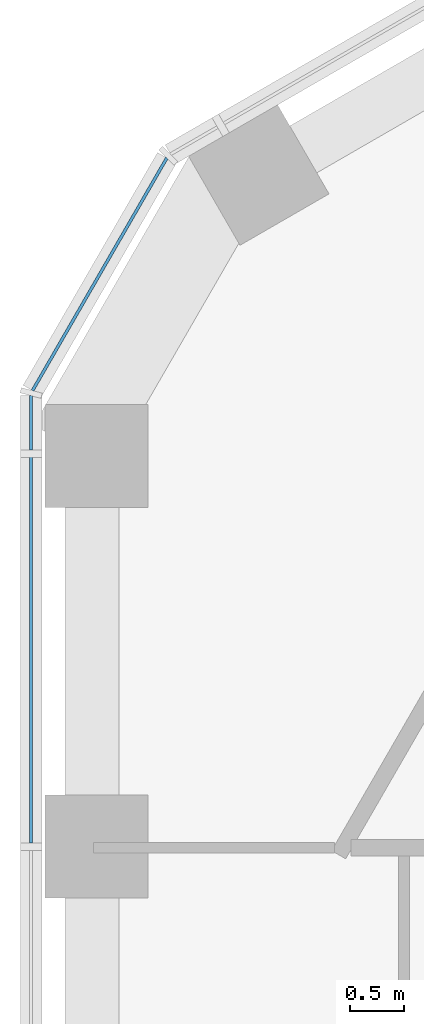
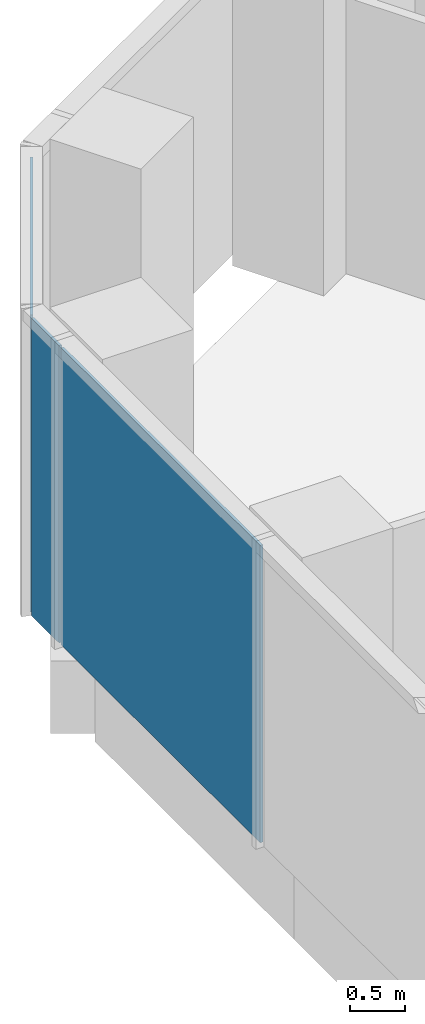
# One storey, part 9 of 18: 3 plates, 2 elements without a shape of their own.
"""IFC4 building model written with IfcOpenShell, lengths in metres."""

import ifcopenshell
import ifcopenshell.guid

model = None  # the IFC model being written
_history = None  # IfcOwnerHistory: only IFC2X3 demands one
_inside = {}  # id of a spatial element -> (the spatial element, [elements in it])
_under = {}  # id of a project, library or spatial element -> (it, [spatial elements below it])
_declared = {}  # id of a project -> (the project, [libraries it declares])
_typed = {}  # id of a type object -> (the type object, [elements of that type])
_made_of = {}  # id of a material, layer set ... -> (it, [elements and type objects made of it])


def new_model(schema):
    """Start an empty IFC model of exactly this schema.

    Asked for "IFC4X3", IfcOpenShell would pick the latest addendum, in which some entities
    have other attributes; the version numbers below select the first issue.
    IFC2X3 requires an IfcOwnerHistory on every rooted entity: one is made here for all.
    """
    global model, _history
    if schema == "IFC4X3":
        model = ifcopenshell.file(schema_version=(4, 3, 0, 0))
    else:
        model = ifcopenshell.file(schema=schema)
    _inside.clear()
    _under.clear()
    _declared.clear()
    _typed.clear()
    _made_of.clear()
    _history = None
    if model.schema == "IFC2X3":
        org = make("IfcOrganization", Name="unknown")
        user = make(
            "IfcPersonAndOrganization",
            ThePerson=make("IfcPerson", FamilyName="unknown"),
            TheOrganization=org,
        )
        app = make(
            "IfcApplication",
            ApplicationDeveloper=org,
            Version="unknown",
            ApplicationFullName="unknown",
            ApplicationIdentifier="unknown",
        )
        _history = make(
            "IfcOwnerHistory",
            OwningUser=user,
            OwningApplication=app,
            ChangeAction="ADDED",
            CreationDate=0,
        )
    return model


def make(cls, **values):
    """One entity of the class cls with the attributes given. An attribute that is None is left unset."""
    return model.create_entity(
        cls, **{name: value for name, value in values.items() if value is not None}
    )


def rooted(cls, **values):
    """An entity with a GlobalId (a new one), such as an element, a storey or a relation."""
    return make(cls, GlobalId=ifcopenshell.guid.new(), OwnerHistory=_history, **values)


def si_unit(unit_type, name, prefix=None):
    """IfcSIUnit, for example si_unit("LENGTHUNIT", "METRE", prefix="MILLI")."""
    return make("IfcSIUnit", UnitType=unit_type, Prefix=prefix, Name=name)


def assignment(units):
    """IfcUnitAssignment: the units of a project."""
    return None if units is None else make("IfcUnitAssignment", Units=units)


def point(xyz):
    """IfcCartesianPoint."""
    return None if xyz is None else make("IfcCartesianPoint", Coordinates=xyz)


def direction(xyz):
    """IfcDirection."""
    return None if xyz is None else make("IfcDirection", DirectionRatios=xyz)


def frame(location, z_axis=None, x_axis=None):
    """IfcAxis2Placement3D, a coordinate frame: its origin and axes. An axis left out is left unset."""
    return make(
        "IfcAxis2Placement3D",
        Location=point(location),
        Axis=direction(z_axis),
        RefDirection=direction(x_axis),
    )


def frame_2d(location, x_axis=None):
    """IfcAxis2Placement2D, a coordinate frame in the plane: its origin and x axis."""
    return make(
        "IfcAxis2Placement2D", Location=point(location), RefDirection=direction(x_axis)
    )


def origin():
    """The frame at (0, 0, 0) with its axes left unset."""
    return frame((0.0, 0.0, 0.0))


def origin_2d():
    """The frame at (0, 0) in the plane with its x axis left unset."""
    return frame_2d((0.0, 0.0))


def place(relative_to, where):
    """IfcLocalPlacement: puts the frame where relative to a parent placement (None: the world)."""
    return make(
        "IfcLocalPlacement", PlacementRelTo=relative_to, RelativePlacement=where
    )


def context(
    kind, dimensions, precision=None, world=None, true_north=None, identifier=None
):
    """IfcGeometricRepresentationContext, for example the 3D "Model" context."""
    return make(
        "IfcGeometricRepresentationContext",
        ContextIdentifier=identifier,
        ContextType=kind,
        CoordinateSpaceDimension=dimensions,
        Precision=precision,
        WorldCoordinateSystem=world,
        TrueNorth=true_north,
    )


def subcontext(parent, identifier, kind, view, scale=None):
    """IfcGeometricRepresentationSubContext, for example "Body" below "Model"."""
    return make(
        "IfcGeometricRepresentationSubContext",
        ContextIdentifier=identifier,
        ContextType=kind,
        ParentContext=parent,
        TargetScale=scale,
        TargetView=view,
    )


def project(units=None, contexts=None):
    """IfcProject with its units and contexts."""
    return rooted(
        "IfcProject",
        Name="project",
        RepresentationContexts=contexts,
        UnitsInContext=assignment(units),
    )


def spatial(cls, under=None, at=None, **own):
    """A site, building, storey or space (cls), placed at a placement, below another one or the project."""
    s = rooted(cls, ObjectPlacement=at, **own)
    if under is not None:
        _under.setdefault(under.id(), (under, []))[1].append(s)
    return s


def profile(cls, at=None, kind="AREA", **sizes):
    """A parametric profile (cls). Its sizes go by their IFC names, for example OverallWidth=200.0."""
    return make(cls, ProfileType=kind, Position=at, **sizes)


def rectangle(**sizes):
    """IfcRectangleProfileDef."""
    return profile("IfcRectangleProfileDef", **sizes)


def extrude(swept, where, along, depth):
    """IfcExtrudedAreaSolid: the profile swept, set in the frame where, extruded along a direction by depth."""
    return make(
        "IfcExtrudedAreaSolid",
        SweptArea=swept,
        Position=where,
        ExtrudedDirection=direction(along),
        Depth=depth,
    )


def shape(context_of_items, identifier, shape_type, items):
    """IfcShapeRepresentation: the items that make up one representation, for example the "Body"."""
    return make(
        "IfcShapeRepresentation",
        ContextOfItems=context_of_items,
        RepresentationIdentifier=identifier,
        RepresentationType=shape_type,
        Items=items,
    )


def material(Name=None, Category=None):
    """IfcMaterial."""
    return make("IfcMaterial", Name=Name, Category=Category)


def layer(
    of_material, thickness, ventilated=None, Name=None, Category=None, Priority=None
):
    """IfcMaterialLayer: one layer of a wall or slab, of a material (None: an air gap)."""
    return make(
        "IfcMaterialLayer",
        Material=of_material,
        LayerThickness=thickness,
        IsVentilated=ventilated,
        Name=Name,
        Category=Category,
        Priority=Priority,
    )


def layer_set(layers, Name=None):
    """IfcMaterialLayerSet."""
    return make("IfcMaterialLayerSet", MaterialLayers=layers, LayerSetName=Name)


def made_of(thing, what):
    """Note that an element or type object is made of a material, layer set ...; save() writes the relation."""
    if what is not None:
        _made_of.setdefault(what.id(), (what, []))[1].append(thing)
    return thing


def type_object(cls, material=None, **own):
    """A type object (cls), such as IfcWallType, which elements share."""
    return made_of(rooted(cls, **own), material)


def element(
    cls,
    number,
    at=None,
    inside=None,
    cuts=None,
    type_object=None,
    material=None,
    context=None,
    identifier="Body",
    shape_type=None,
    held_by="IfcProductDefinitionShape",
    body=None,
    shapes=None,
    **own,
):
    """One element of the class cls, such as IfcWall. Its Tag is "e" and its number.

    at: its placement. inside: the storey or other place that contains it. cuts: it is an
    opening in that element (IfcRelVoidsElement). A single representation is given by context,
    identifier, shape_type and body (its items); several are given by shapes. held_by: the class
    of the entity that holds the representations. save() writes the other relations.
    """
    e = rooted(cls, Tag="e%d" % number, ObjectPlacement=at, **own)
    if body is not None:
        shapes = [shape(context, identifier, shape_type, body)]
    if shapes is not None:
        e.Representation = make(held_by, Representations=shapes)
    if inside is not None:
        _inside.setdefault(inside.id(), (inside, []))[1].append(e)
    if cuts is not None:
        rooted(
            "IfcRelVoidsElement", RelatingBuildingElement=cuts, RelatedOpeningElement=e
        )
    if type_object is not None:
        _typed.setdefault(type_object.id(), (type_object, []))[1].append(e)
    return made_of(e, material)


def aggregate(whole, parts):
    """IfcRelAggregates: a whole, such as a stair, and the parts it consists of."""
    return rooted("IfcRelAggregates", RelatingObject=whole, RelatedObjects=parts)


def save(model, path):
    """Write the relations noted so far, then the file.

    IfcRelAggregates (storeys below a building ...), IfcRelContainedInSpatialStructure (elements
    in a storey), IfcRelDefinesByType, IfcRelAssociatesMaterial and IfcRelDeclares: one each for
    every whole, place, type object, material and project.
    """
    for whole, parts in _under.values():
        aggregate(whole, parts)
    for where, things in _inside.values():
        rooted(
            "IfcRelContainedInSpatialStructure",
            RelatedElements=things,
            RelatingStructure=where,
        )
    for kind, things in _typed.values():
        rooted("IfcRelDefinesByType", RelatedObjects=things, RelatingType=kind)
    for what, things in _made_of.values():
        rooted("IfcRelAssociatesMaterial", RelatedObjects=things, RelatingMaterial=what)
    for by, libraries in _declared.values():
        rooted("IfcRelDeclares", RelatingContext=by, RelatedDefinitions=libraries)
    model.write(path)


model = new_model("IFC4")

# Units and contexts
model_context = context("Model", 3, precision=1e-05, world=origin(), true_north=direction((0.0, 1.0)))
body_context = subcontext(model_context, "Body", "Model", "MODEL_VIEW")
ifc_project = project(units=[si_unit("LENGTHUNIT", "METRE"), si_unit("AREAUNIT", "SQUARE_METRE"), si_unit("VOLUMEUNIT", "CUBIC_METRE"), si_unit("PLANEANGLEUNIT", "RADIAN"), si_unit("MASSUNIT", "GRAM", prefix="KILO")], contexts=[model_context])

# Site, building, storey
site_placement = place(None, origin())
site = spatial("IfcSite", under=ifc_project, at=site_placement, CompositionType="ELEMENT")
building_placement = place(site_placement, origin())
building = spatial("IfcBuilding", under=site, at=building_placement, Name="Ayvan Gate Tower", CompositionType="ELEMENT")
storey_placement = place(building_placement, frame((0.0, 0.0, 176.5)))
storey = spatial("IfcBuildingStorey", under=building, at=storey_placement, Name="L47", CompositionType="ELEMENT", Elevation=176.5)

# Curtain wall, plate
ifc_material_1 = material(Name="Bronze anodised aluminium", Category="aluminium")
ifc_layer_1 = layer(ifc_material_1, 0.199951171875)
ifc_layer_set_1 = layer_set([ifc_layer_1], Name="Bronze anodised aluminium")
curtain_wall_type_1 = type_object("IfcCurtainWallType", Name="Stick curtain wall CW-2", PredefinedType="NOTDEFINED", material=ifc_layer_set_1)
curtain_wall_1_placement = place(storey_placement, origin())
curtain_wall_1 = element("IfcCurtainWall", 1, at=curtain_wall_1_placement, inside=storey, type_object=curtain_wall_type_1, Name="Stick curtain wall CW-2 L47", PredefinedType="NOTDEFINED")
ifc_material_2 = material(Name="Clear low-iron laminated glass", Category="glass")
ifc_layer_2 = layer(ifc_material_2, 0.028076171875)
ifc_layer_set_2 = layer_set([ifc_layer_2], Name="Clear low-iron laminated glass")
plate_type_1 = type_object("IfcPlateType", Name="Stick curtain wall CW-2 glass panel", PredefinedType="CURTAIN_PANEL", material=ifc_layer_set_2)
plate_1_placement = place(storey_placement, frame((-18.34619140625, 7.2490234375, 0.0), z_axis=(0.0, 0.0, 1.0), x_axis=(0.0, -1.0, 0.0)))
plate_1 = element("IfcPlate", 2, at=plate_1_placement, type_object=plate_type_1, Name="CW-2 glass panel 1", PredefinedType="CURTAIN_PANEL", context=body_context, shape_type="SweptSolid", body=[
    extrude(rectangle(XDim=3.59912109375, YDim=0.028076171875, at=origin_2d()), origin(), (0.0, 0.0, 1.0), 3.280029296875),
])
aggregate(curtain_wall_1, [plate_1])

# Curtain wall, plates
ifc_layer_3 = layer(ifc_material_1, 0.199951171875)
ifc_layer_set_3 = layer_set([ifc_layer_3], Name="Bronze anodised aluminium")
curtain_wall_type_2 = type_object("IfcCurtainWallType", Name="Stick curtain wall CW-6", PredefinedType="NOTDEFINED", material=ifc_layer_set_3)
curtain_wall_2_placement = place(storey_placement, origin())
curtain_wall_2 = element("IfcCurtainWall", 3, at=curtain_wall_2_placement, inside=storey, type_object=curtain_wall_type_2, Name="Stick curtain wall CW-6 L47", PredefinedType="NOTDEFINED")
ifc_layer_4 = layer(ifc_material_2, 0.028076171875)
ifc_layer_set_4 = layer_set([ifc_layer_4], Name="Clear low-iron laminated glass")
plate_type_2 = type_object("IfcPlateType", Name="Stick curtain wall CW-6 glass panel", PredefinedType="CURTAIN_PANEL", material=ifc_layer_set_4)
plate_2_placement = place(storey_placement, frame((-17.71240234375, 10.7060546875, 0.0), z_axis=(0.0, 0.0, 1.0), x_axis=(-0.5, -0.866025403784, 0.0)))
plate_2 = element("IfcPlate", 4, at=plate_2_placement, type_object=plate_type_2, Name="CW-6 glass panel 2", PredefinedType="CURTAIN_PANEL", context=body_context, shape_type="SweptSolid", body=[
    extrude(rectangle(XDim=2.484619140625, YDim=0.028076171875, at=origin_2d()), origin(), (0.0, 0.0, 1.0), 3.280029296875),
])
plate_3_placement = place(storey_placement, frame((-18.34619140625, 9.33349609375, 0.0), z_axis=(0.0, 0.0, 1.0), x_axis=(0.0, -1.0, 0.0)))
plate_3 = element("IfcPlate", 5, at=plate_3_placement, type_object=plate_type_2, Name="CW-6 glass panel 3", PredefinedType="CURTAIN_PANEL", context=body_context, shape_type="SweptSolid", body=[
    extrude(rectangle(XDim=0.5, YDim=0.028076171875, at=origin_2d()), origin(), (0.0, 0.0, 1.0), 3.280029296875),
])
aggregate(curtain_wall_2, [plate_2, plate_3])

save(model, "model.ifc")
